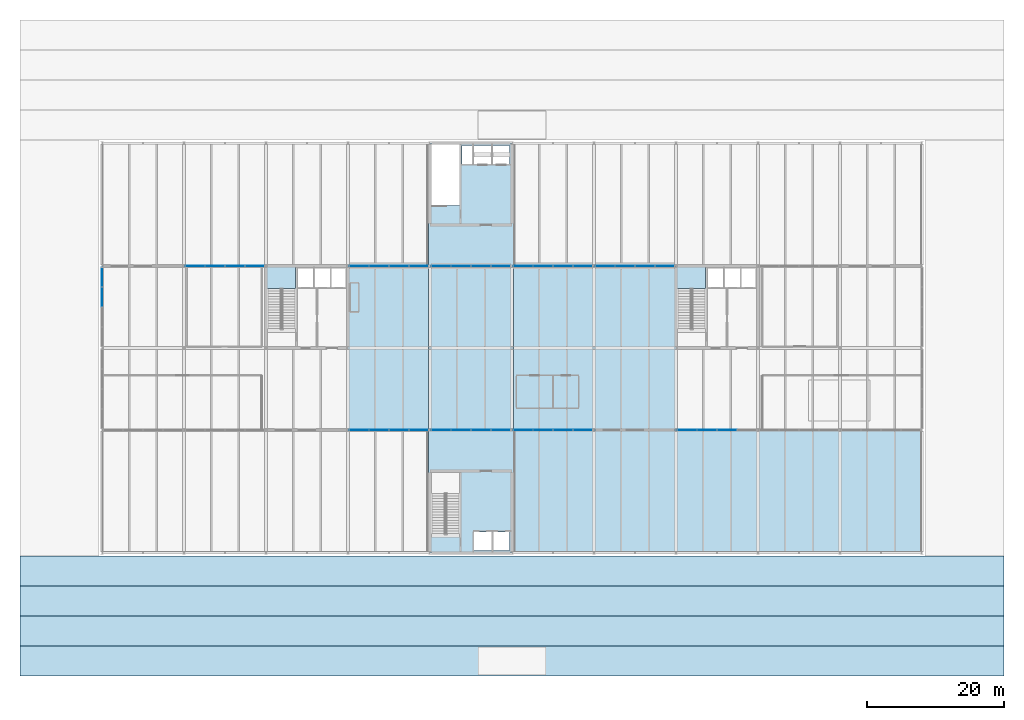
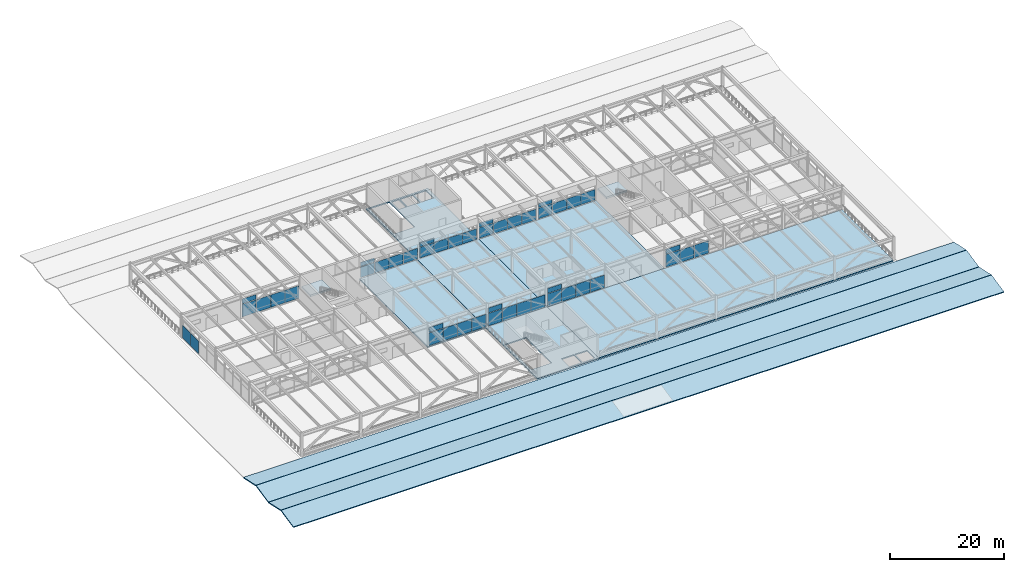
# One storey, part 33 of 42: 46 plates, 10 slabs, 12 elements without a shape of their own.
"""IFC4 building model written with IfcOpenShell, lengths in metres."""

from ifc_helpers import new_model, si_unit, direction, frame, origin, origin_2d, place, context, subcontext, project, spatial, polyline, rectangle, outline, extrude, material, layer, layer_set, type_object, element, aggregate, save


model = new_model("IFC4")

# Units and contexts
model_context = context("Model", 3, precision=1e-05, world=origin(), true_north=direction((0.0, 1.0)))
body_context = subcontext(model_context, "Body", "Model", "MODEL_VIEW")
ifc_project = project(units=[si_unit("LENGTHUNIT", "METRE"), si_unit("AREAUNIT", "SQUARE_METRE"), si_unit("VOLUMEUNIT", "CUBIC_METRE"), si_unit("PLANEANGLEUNIT", "RADIAN"), si_unit("MASSUNIT", "GRAM", prefix="KILO")], contexts=[model_context])

# Site, building, storey
site_placement = place(None, origin())
site = spatial("IfcSite", under=ifc_project, at=site_placement, CompositionType="ELEMENT")
building_placement = place(site_placement, origin())
building = spatial("IfcBuilding", under=site, at=building_placement, Name="Girod Span Mobility Hub", CompositionType="ELEMENT")
storey_placement = place(building_placement, frame((0.0, 0.0, 32.39990234375)))
storey = spatial("IfcBuildingStorey", under=building, at=storey_placement, Name="L08", CompositionType="ELEMENT", Elevation=32.39990234375)

# Curtain wall, plate
ifc_material_1 = material(Name="Thermally Broken Anodised Aluminium", Category="aluminium")
curtain_wall_type_1 = type_object("IfcCurtainWallType", Name="CW-1160X410", PredefinedType="USERDEFINED", material=ifc_material_1)
curtain_wall_1_placement = place(storey_placement, origin())
curtain_wall_1 = element("IfcCurtainWall", 1, at=curtain_wall_1_placement, inside=storey, type_object=curtain_wall_type_1, Name="Unitised Curtain Wall CW-L08-S06 L08", ObjectType="UNITISED CURTAIN WALL", PredefinedType="USERDEFINED")
ifc_material_2 = material(Name="Double Low-E Insulated Glazing", Category="glass")
ifc_layer_1 = layer(ifc_material_2, 0.05810546875)
ifc_layer_set_1 = layer_set([ifc_layer_1], Name="Double Low-E Insulated Glazing")
plate_type_1 = type_object("IfcPlateType", Name="PLT-SPN-2830X1068X58", PredefinedType="CURTAIN_PANEL", material=ifc_layer_set_1)
plate_1_placement = place(storey_placement, frame((61.650634765625, 45.0, 2.9521484375), z_axis=(0.0, 0.0, 1.0), x_axis=(1.0, 0.0, 0.0)))
plate_1 = element("IfcPlate", 2, at=plate_1_placement, type_object=plate_type_1, Name="Spandrel Glazing Panel CW-L08-S06-S1", PredefinedType="CURTAIN_PANEL", context=body_context, shape_type="SweptSolid", body=[
    extrude(rectangle(XDim=2.83544921875, YDim=0.05810546875, at=origin_2d()), origin(), (0.0, 0.0, 1.0), 1.028076171875),
])

curtain_wall_2_placement = place(storey_placement, origin())
curtain_wall_2 = element("IfcCurtainWall", 3, at=curtain_wall_2_placement, inside=storey, type_object=curtain_wall_type_1, Name="Unitised Curtain Wall CW-L08-S07 L08", ObjectType="UNITISED CURTAIN WALL", PredefinedType="USERDEFINED")
plate_2_placement = place(storey_placement, frame((73.650634765625, 45.0, 2.9521484375), z_axis=(0.0, 0.0, 1.0), x_axis=(1.0, 0.0, 0.0)))
plate_2 = element("IfcPlate", 4, at=plate_2_placement, type_object=plate_type_1, Name="Spandrel Glazing Panel CW-L08-S07-S1", PredefinedType="CURTAIN_PANEL", context=body_context, shape_type="SweptSolid", body=[
    extrude(rectangle(XDim=2.83544921875, YDim=0.05810546875, at=origin_2d()), origin(), (0.0, 0.0, 1.0), 1.028076171875),
])

curtain_wall_3_placement = place(storey_placement, origin())
curtain_wall_3 = element("IfcCurtainWall", 5, at=curtain_wall_3_placement, inside=storey, type_object=curtain_wall_type_1, Name="Unitised Curtain Wall CW-L08-S08 L08", ObjectType="UNITISED CURTAIN WALL", PredefinedType="USERDEFINED")
plate_3_placement = place(storey_placement, frame((85.650634765625, 45.0, 2.9521484375), z_axis=(0.0, 0.0, 1.0), x_axis=(1.0, 0.0, 0.0)))
plate_3 = element("IfcPlate", 6, at=plate_3_placement, type_object=plate_type_1, Name="Spandrel Glazing Panel CW-L08-S08-S1", PredefinedType="CURTAIN_PANEL", context=body_context, shape_type="SweptSolid", body=[
    extrude(rectangle(XDim=2.83544921875, YDim=0.05810546875, at=origin_2d()), origin(), (0.0, 0.0, 1.0), 1.028076171875),
])

curtain_wall_4_placement = place(storey_placement, origin())
curtain_wall_4 = element("IfcCurtainWall", 7, at=curtain_wall_4_placement, inside=storey, type_object=curtain_wall_type_1, Name="Unitised Curtain Wall CW-L08-S10 L08", ObjectType="UNITISED CURTAIN WALL", PredefinedType="USERDEFINED")
plate_4_placement = place(storey_placement, frame((109.650634765625, 45.0, 2.9521484375), z_axis=(0.0, 0.0, 1.0), x_axis=(1.0, 0.0, 0.0)))
plate_4 = element("IfcPlate", 8, at=plate_4_placement, type_object=plate_type_1, Name="Spandrel Glazing Panel CW-L08-S10-S1", PredefinedType="CURTAIN_PANEL", context=body_context, shape_type="SweptSolid", body=[
    extrude(rectangle(XDim=2.83544921875, YDim=0.05810546875, at=origin_2d()), origin(), (0.0, 0.0, 1.0), 1.028076171875),
])

curtain_wall_5_placement = place(storey_placement, origin())
curtain_wall_5 = element("IfcCurtainWall", 9, at=curtain_wall_5_placement, inside=storey, type_object=curtain_wall_type_1, Name="Unitised Curtain Wall CW-L08-N04 L08", ObjectType="UNITISED CURTAIN WALL", PredefinedType="USERDEFINED")
plate_5_placement = place(storey_placement, frame((37.647705078125, 69.0, 2.9521484375), z_axis=(0.0, 0.0, 1.0), x_axis=(1.0, 0.0, 0.0)))
plate_5 = element("IfcPlate", 10, at=plate_5_placement, type_object=plate_type_1, Name="Spandrel Glazing Panel CW-L08-N04-S1", PredefinedType="CURTAIN_PANEL", context=body_context, shape_type="SweptSolid", body=[
    extrude(rectangle(XDim=2.83642578125, YDim=0.05810546875, at=origin_2d()), origin(), (0.0, 0.0, 1.0), 1.028076171875),
])

ifc_material_3 = material(Name="Thermally Broken Anodised Aluminium", Category="aluminium")
curtain_wall_type_2 = type_object("IfcCurtainWallType", Name="CW-1160X354", PredefinedType="USERDEFINED", material=ifc_material_3)
curtain_wall_6_placement = place(storey_placement, origin())
curtain_wall_6 = element("IfcCurtainWall", 11, at=curtain_wall_6_placement, inside=storey, type_object=curtain_wall_type_2, Name="Unitised Curtain Wall CW-L08-N06 L08", ObjectType="UNITISED CURTAIN WALL", PredefinedType="USERDEFINED")
ifc_material_4 = material(Name="Double Low-E Insulated Glazing", Category="glass")
ifc_layer_2 = layer(ifc_material_4, 0.05810546875)
ifc_layer_set_2 = layer_set([ifc_layer_2], Name="Double Low-E Insulated Glazing")
plate_type_2 = type_object("IfcPlateType", Name="PLT-SPN-2830X911X58", PredefinedType="CURTAIN_PANEL", material=ifc_layer_set_2)
plate_6_placement = place(storey_placement, frame((61.650634765625, 69.0, 2.549072265625), z_axis=(0.0, 0.0, 1.0), x_axis=(1.0, 0.0, 0.0)))
plate_6 = element("IfcPlate", 12, at=plate_6_placement, type_object=plate_type_2, Name="Spandrel Glazing Panel CW-L08-N06-S1", PredefinedType="CURTAIN_PANEL", context=body_context, shape_type="SweptSolid", body=[
    extrude(rectangle(XDim=2.83544921875, YDim=0.05810546875, at=origin_2d()), origin(), (0.0, 0.0, 1.0), 0.87109375),
])

curtain_wall_7_placement = place(storey_placement, origin())
curtain_wall_7 = element("IfcCurtainWall", 13, at=curtain_wall_7_placement, inside=storey, type_object=curtain_wall_type_2, Name="Unitised Curtain Wall CW-L08-N07 L08", ObjectType="UNITISED CURTAIN WALL", PredefinedType="USERDEFINED")
plate_7_placement = place(storey_placement, frame((73.650634765625, 69.0, 2.549072265625), z_axis=(0.0, 0.0, 1.0), x_axis=(1.0, 0.0, 0.0)))
plate_7 = element("IfcPlate", 14, at=plate_7_placement, type_object=plate_type_2, Name="Spandrel Glazing Panel CW-L08-N07-S1", PredefinedType="CURTAIN_PANEL", context=body_context, shape_type="SweptSolid", body=[
    extrude(rectangle(XDim=2.83544921875, YDim=0.05810546875, at=origin_2d()), origin(), (0.0, 0.0, 1.0), 0.87109375),
])

curtain_wall_8_placement = place(storey_placement, origin())
curtain_wall_8 = element("IfcCurtainWall", 15, at=curtain_wall_8_placement, inside=storey, type_object=curtain_wall_type_2, Name="Unitised Curtain Wall CW-L08-N08 L08", ObjectType="UNITISED CURTAIN WALL", PredefinedType="USERDEFINED")
plate_8_placement = place(storey_placement, frame((85.650634765625, 69.0, 2.549072265625), z_axis=(0.0, 0.0, 1.0), x_axis=(1.0, 0.0, 0.0)))
plate_8 = element("IfcPlate", 16, at=plate_8_placement, type_object=plate_type_2, Name="Spandrel Glazing Panel CW-L08-N08-S1", PredefinedType="CURTAIN_PANEL", context=body_context, shape_type="SweptSolid", body=[
    extrude(rectangle(XDim=2.83544921875, YDim=0.05810546875, at=origin_2d()), origin(), (0.0, 0.0, 1.0), 0.87109375),
])

curtain_wall_9_placement = place(storey_placement, origin())
curtain_wall_9 = element("IfcCurtainWall", 17, at=curtain_wall_9_placement, inside=storey, type_object=curtain_wall_type_2, Name="Unitised Curtain Wall CW-L08-N09 L08", ObjectType="UNITISED CURTAIN WALL", PredefinedType="USERDEFINED")
plate_9_placement = place(storey_placement, frame((97.650634765625, 69.0, 2.549072265625), z_axis=(0.0, 0.0, 1.0), x_axis=(1.0, 0.0, 0.0)))
plate_9 = element("IfcPlate", 18, at=plate_9_placement, type_object=plate_type_2, Name="Spandrel Glazing Panel CW-L08-N09-S1", PredefinedType="CURTAIN_PANEL", context=body_context, shape_type="SweptSolid", body=[
    extrude(rectangle(XDim=2.83544921875, YDim=0.05810546875, at=origin_2d()), origin(), (0.0, 0.0, 1.0), 0.87109375),
])

# Plate
ifc_material_5 = material(Name="Double Low-E Insulated Glazing", Category="glass")
ifc_layer_3 = layer(ifc_material_5, 0.0458984375)
ifc_layer_set_3 = layer_set([ifc_layer_3], Name="Double Low-E Insulated Glazing")
plate_type_3 = type_object("IfcPlateType", Name="PLT-VIS-2830X2549X46", PredefinedType="CURTAIN_PANEL", material=ifc_layer_set_3)
plate_10_placement = place(storey_placement, frame((61.650634765625, 69.0, 0.14013671875), z_axis=(0.0, 0.0, 1.0), x_axis=(1.0, 0.0, 0.0)))
plate_10 = element("IfcPlate", 19, at=plate_10_placement, type_object=plate_type_3, Name="Vision Glazing Panel CW-L08-N06-V1", PredefinedType="CURTAIN_PANEL", context=body_context, shape_type="SweptSolid", body=[
    extrude(rectangle(XDim=2.83544921875, YDim=0.0458984375, at=origin_2d()), origin(), (0.0, 0.0, 1.0), 2.288818359375),
])

plate_11_placement = place(storey_placement, frame((64.55029296875, 69.0, 0.14013671875), z_axis=(0.0, 0.0, 1.0), x_axis=(1.0, 0.0, 0.0)))
plate_11 = element("IfcPlate", 20, at=plate_11_placement, type_object=plate_type_3, Name="Vision Glazing Panel CW-L08-N06-V2", PredefinedType="CURTAIN_PANEL", context=body_context, shape_type="SweptSolid", body=[
    extrude(rectangle(XDim=2.83544921875, YDim=0.0458984375, at=origin_2d()), origin(), (0.0, 0.0, 1.0), 2.288818359375),
])

plate_12_placement = place(storey_placement, frame((67.44970703125, 69.0, 0.14013671875), z_axis=(0.0, 0.0, 1.0), x_axis=(1.0, 0.0, 0.0)))
plate_12 = element("IfcPlate", 21, at=plate_12_placement, type_object=plate_type_3, Name="Vision Glazing Panel CW-L08-N06-V3", PredefinedType="CURTAIN_PANEL", context=body_context, shape_type="SweptSolid", body=[
    extrude(rectangle(XDim=2.83544921875, YDim=0.0458984375, at=origin_2d()), origin(), (0.0, 0.0, 1.0), 2.288818359375),
])

plate_13_placement = place(storey_placement, frame((70.349365234375, 69.0, 0.14013671875), z_axis=(0.0, 0.0, 1.0), x_axis=(1.0, 0.0, 0.0)))
plate_13 = element("IfcPlate", 22, at=plate_13_placement, type_object=plate_type_3, Name="Vision Glazing Panel CW-L08-N06-V4", PredefinedType="CURTAIN_PANEL", context=body_context, shape_type="SweptSolid", body=[
    extrude(rectangle(XDim=2.83544921875, YDim=0.0458984375, at=origin_2d()), origin(), (0.0, 0.0, 1.0), 2.288818359375),
])

aggregate(curtain_wall_6, [plate_10, plate_6, plate_11, plate_12, plate_13])

plate_14_placement = place(storey_placement, frame((73.650634765625, 69.0, 0.14013671875), z_axis=(0.0, 0.0, 1.0), x_axis=(1.0, 0.0, 0.0)))
plate_14 = element("IfcPlate", 23, at=plate_14_placement, type_object=plate_type_3, Name="Vision Glazing Panel CW-L08-N07-V1", PredefinedType="CURTAIN_PANEL", context=body_context, shape_type="SweptSolid", body=[
    extrude(rectangle(XDim=2.83544921875, YDim=0.0458984375, at=origin_2d()), origin(), (0.0, 0.0, 1.0), 2.288818359375),
])

plate_15_placement = place(storey_placement, frame((76.55029296875, 69.0, 0.14013671875), z_axis=(0.0, 0.0, 1.0), x_axis=(1.0, 0.0, 0.0)))
plate_15 = element("IfcPlate", 24, at=plate_15_placement, type_object=plate_type_3, Name="Vision Glazing Panel CW-L08-N07-V2", PredefinedType="CURTAIN_PANEL", context=body_context, shape_type="SweptSolid", body=[
    extrude(rectangle(XDim=2.83544921875, YDim=0.0458984375, at=origin_2d()), origin(), (0.0, 0.0, 1.0), 2.288818359375),
])

plate_16_placement = place(storey_placement, frame((79.44970703125, 69.0, 0.14013671875), z_axis=(0.0, 0.0, 1.0), x_axis=(1.0, 0.0, 0.0)))
plate_16 = element("IfcPlate", 25, at=plate_16_placement, type_object=plate_type_3, Name="Vision Glazing Panel CW-L08-N07-V3", PredefinedType="CURTAIN_PANEL", context=body_context, shape_type="SweptSolid", body=[
    extrude(rectangle(XDim=2.83544921875, YDim=0.0458984375, at=origin_2d()), origin(), (0.0, 0.0, 1.0), 2.288818359375),
])

plate_17_placement = place(storey_placement, frame((82.349365234375, 69.0, 0.14013671875), z_axis=(0.0, 0.0, 1.0), x_axis=(1.0, 0.0, 0.0)))
plate_17 = element("IfcPlate", 26, at=plate_17_placement, type_object=plate_type_3, Name="Vision Glazing Panel CW-L08-N07-V4", PredefinedType="CURTAIN_PANEL", context=body_context, shape_type="SweptSolid", body=[
    extrude(rectangle(XDim=2.83544921875, YDim=0.0458984375, at=origin_2d()), origin(), (0.0, 0.0, 1.0), 2.288818359375),
])

aggregate(curtain_wall_7, [plate_14, plate_7, plate_15, plate_16, plate_17])

plate_18_placement = place(storey_placement, frame((85.650634765625, 69.0, 0.14013671875), z_axis=(0.0, 0.0, 1.0), x_axis=(1.0, 0.0, 0.0)))
plate_18 = element("IfcPlate", 27, at=plate_18_placement, type_object=plate_type_3, Name="Vision Glazing Panel CW-L08-N08-V1", PredefinedType="CURTAIN_PANEL", context=body_context, shape_type="SweptSolid", body=[
    extrude(rectangle(XDim=2.83544921875, YDim=0.0458984375, at=origin_2d()), origin(), (0.0, 0.0, 1.0), 2.288818359375),
])

plate_19_placement = place(storey_placement, frame((88.55029296875, 69.0, 0.14013671875), z_axis=(0.0, 0.0, 1.0), x_axis=(1.0, 0.0, 0.0)))
plate_19 = element("IfcPlate", 28, at=plate_19_placement, type_object=plate_type_3, Name="Vision Glazing Panel CW-L08-N08-V2", PredefinedType="CURTAIN_PANEL", context=body_context, shape_type="SweptSolid", body=[
    extrude(rectangle(XDim=2.83544921875, YDim=0.0458984375, at=origin_2d()), origin(), (0.0, 0.0, 1.0), 2.288818359375),
])

plate_20_placement = place(storey_placement, frame((91.44970703125, 69.0, 0.14013671875), z_axis=(0.0, 0.0, 1.0), x_axis=(1.0, 0.0, 0.0)))
plate_20 = element("IfcPlate", 29, at=plate_20_placement, type_object=plate_type_3, Name="Vision Glazing Panel CW-L08-N08-V3", PredefinedType="CURTAIN_PANEL", context=body_context, shape_type="SweptSolid", body=[
    extrude(rectangle(XDim=2.83544921875, YDim=0.0458984375, at=origin_2d()), origin(), (0.0, 0.0, 1.0), 2.288818359375),
])

plate_21_placement = place(storey_placement, frame((94.349365234375, 69.0, 0.14013671875), z_axis=(0.0, 0.0, 1.0), x_axis=(1.0, 0.0, 0.0)))
plate_21 = element("IfcPlate", 30, at=plate_21_placement, type_object=plate_type_3, Name="Vision Glazing Panel CW-L08-N08-V4", PredefinedType="CURTAIN_PANEL", context=body_context, shape_type="SweptSolid", body=[
    extrude(rectangle(XDim=2.83544921875, YDim=0.0458984375, at=origin_2d()), origin(), (0.0, 0.0, 1.0), 2.288818359375),
])

aggregate(curtain_wall_8, [plate_18, plate_8, plate_19, plate_20, plate_21])

plate_22_placement = place(storey_placement, frame((97.650634765625, 69.0, 0.14013671875), z_axis=(0.0, 0.0, 1.0), x_axis=(1.0, 0.0, 0.0)))
plate_22 = element("IfcPlate", 31, at=plate_22_placement, type_object=plate_type_3, Name="Vision Glazing Panel CW-L08-N09-V1", PredefinedType="CURTAIN_PANEL", context=body_context, shape_type="SweptSolid", body=[
    extrude(rectangle(XDim=2.83544921875, YDim=0.0458984375, at=origin_2d()), origin(), (0.0, 0.0, 1.0), 2.288818359375),
])

plate_23_placement = place(storey_placement, frame((100.55029296875, 69.0, 0.14013671875), z_axis=(0.0, 0.0, 1.0), x_axis=(1.0, 0.0, 0.0)))
plate_23 = element("IfcPlate", 32, at=plate_23_placement, type_object=plate_type_3, Name="Vision Glazing Panel CW-L08-N09-V2", PredefinedType="CURTAIN_PANEL", context=body_context, shape_type="SweptSolid", body=[
    extrude(rectangle(XDim=2.83544921875, YDim=0.0458984375, at=origin_2d()), origin(), (0.0, 0.0, 1.0), 2.288818359375),
])

plate_24_placement = place(storey_placement, frame((103.44970703125, 69.0, 0.14013671875), z_axis=(0.0, 0.0, 1.0), x_axis=(1.0, 0.0, 0.0)))
plate_24 = element("IfcPlate", 33, at=plate_24_placement, type_object=plate_type_3, Name="Vision Glazing Panel CW-L08-N09-V3", PredefinedType="CURTAIN_PANEL", context=body_context, shape_type="SweptSolid", body=[
    extrude(rectangle(XDim=2.83544921875, YDim=0.0458984375, at=origin_2d()), origin(), (0.0, 0.0, 1.0), 2.288818359375),
])

plate_25_placement = place(storey_placement, frame((106.349365234375, 69.0, 0.14013671875), z_axis=(0.0, 0.0, 1.0), x_axis=(1.0, 0.0, 0.0)))
plate_25 = element("IfcPlate", 34, at=plate_25_placement, type_object=plate_type_3, Name="Vision Glazing Panel CW-L08-N09-V4", PredefinedType="CURTAIN_PANEL", context=body_context, shape_type="SweptSolid", body=[
    extrude(rectangle(XDim=2.83544921875, YDim=0.0458984375, at=origin_2d()), origin(), (0.0, 0.0, 1.0), 2.288818359375),
])

aggregate(curtain_wall_9, [plate_22, plate_9, plate_23, plate_24, plate_25])

ifc_material_6 = material(Name="Double Low-E Insulated Glazing", Category="glass")
ifc_layer_4 = layer(ifc_material_6, 0.0458984375)
ifc_layer_set_4 = layer_set([ifc_layer_4], Name="Double Low-E Insulated Glazing")
plate_type_4 = type_object("IfcPlateType", Name="PLT-VIS-2830X2952X46", PredefinedType="CURTAIN_PANEL", material=ifc_layer_set_4)
plate_26_placement = place(storey_placement, frame((61.650634765625, 45.0, 0.14013671875), z_axis=(0.0, 0.0, 1.0), x_axis=(1.0, 0.0, 0.0)))
plate_26 = element("IfcPlate", 35, at=plate_26_placement, type_object=plate_type_4, Name="Vision Glazing Panel CW-L08-S06-V1", PredefinedType="CURTAIN_PANEL", context=body_context, shape_type="SweptSolid", body=[
    extrude(rectangle(XDim=2.83544921875, YDim=0.0458984375, at=origin_2d()), origin(), (0.0, 0.0, 1.0), 2.69189453125),
])

plate_27_placement = place(storey_placement, frame((64.55029296875, 45.0, 0.14013671875), z_axis=(0.0, 0.0, 1.0), x_axis=(1.0, 0.0, 0.0)))
plate_27 = element("IfcPlate", 36, at=plate_27_placement, type_object=plate_type_4, Name="Vision Glazing Panel CW-L08-S06-V2", PredefinedType="CURTAIN_PANEL", context=body_context, shape_type="SweptSolid", body=[
    extrude(rectangle(XDim=2.83544921875, YDim=0.0458984375, at=origin_2d()), origin(), (0.0, 0.0, 1.0), 2.69189453125),
])

plate_28_placement = place(storey_placement, frame((67.44970703125, 45.0, 0.14013671875), z_axis=(0.0, 0.0, 1.0), x_axis=(1.0, 0.0, 0.0)))
plate_28 = element("IfcPlate", 37, at=plate_28_placement, type_object=plate_type_4, Name="Vision Glazing Panel CW-L08-S06-V3", PredefinedType="CURTAIN_PANEL", context=body_context, shape_type="SweptSolid", body=[
    extrude(rectangle(XDim=2.83544921875, YDim=0.0458984375, at=origin_2d()), origin(), (0.0, 0.0, 1.0), 2.69189453125),
])

plate_29_placement = place(storey_placement, frame((70.349365234375, 45.0, 0.14013671875), z_axis=(0.0, 0.0, 1.0), x_axis=(1.0, 0.0, 0.0)))
plate_29 = element("IfcPlate", 38, at=plate_29_placement, type_object=plate_type_4, Name="Vision Glazing Panel CW-L08-S06-V4", PredefinedType="CURTAIN_PANEL", context=body_context, shape_type="SweptSolid", body=[
    extrude(rectangle(XDim=2.83544921875, YDim=0.0458984375, at=origin_2d()), origin(), (0.0, 0.0, 1.0), 2.69189453125),
])

aggregate(curtain_wall_1, [plate_26, plate_1, plate_27, plate_28, plate_29])

plate_30_placement = place(storey_placement, frame((73.650634765625, 45.0, 0.14013671875), z_axis=(0.0, 0.0, 1.0), x_axis=(1.0, 0.0, 0.0)))
plate_30 = element("IfcPlate", 39, at=plate_30_placement, type_object=plate_type_4, Name="Vision Glazing Panel CW-L08-S07-V1", PredefinedType="CURTAIN_PANEL", context=body_context, shape_type="SweptSolid", body=[
    extrude(rectangle(XDim=2.83544921875, YDim=0.0458984375, at=origin_2d()), origin(), (0.0, 0.0, 1.0), 2.69189453125),
])

plate_31_placement = place(storey_placement, frame((76.55029296875, 45.0, 0.14013671875), z_axis=(0.0, 0.0, 1.0), x_axis=(1.0, 0.0, 0.0)))
plate_31 = element("IfcPlate", 40, at=plate_31_placement, type_object=plate_type_4, Name="Vision Glazing Panel CW-L08-S07-V2", PredefinedType="CURTAIN_PANEL", context=body_context, shape_type="SweptSolid", body=[
    extrude(rectangle(XDim=2.83544921875, YDim=0.0458984375, at=origin_2d()), origin(), (0.0, 0.0, 1.0), 2.69189453125),
])

plate_32_placement = place(storey_placement, frame((79.44970703125, 45.0, 0.14013671875), z_axis=(0.0, 0.0, 1.0), x_axis=(1.0, 0.0, 0.0)))
plate_32 = element("IfcPlate", 41, at=plate_32_placement, type_object=plate_type_4, Name="Vision Glazing Panel CW-L08-S07-V3", PredefinedType="CURTAIN_PANEL", context=body_context, shape_type="SweptSolid", body=[
    extrude(rectangle(XDim=2.83544921875, YDim=0.0458984375, at=origin_2d()), origin(), (0.0, 0.0, 1.0), 2.69189453125),
])

plate_33_placement = place(storey_placement, frame((82.349365234375, 45.0, 0.14013671875), z_axis=(0.0, 0.0, 1.0), x_axis=(1.0, 0.0, 0.0)))
plate_33 = element("IfcPlate", 42, at=plate_33_placement, type_object=plate_type_4, Name="Vision Glazing Panel CW-L08-S07-V4", PredefinedType="CURTAIN_PANEL", context=body_context, shape_type="SweptSolid", body=[
    extrude(rectangle(XDim=2.83544921875, YDim=0.0458984375, at=origin_2d()), origin(), (0.0, 0.0, 1.0), 2.69189453125),
])

aggregate(curtain_wall_2, [plate_30, plate_2, plate_31, plate_32, plate_33])

plate_34_placement = place(storey_placement, frame((85.650634765625, 45.0, 0.14013671875), z_axis=(0.0, 0.0, 1.0), x_axis=(1.0, 0.0, 0.0)))
plate_34 = element("IfcPlate", 43, at=plate_34_placement, type_object=plate_type_4, Name="Vision Glazing Panel CW-L08-S08-V1", PredefinedType="CURTAIN_PANEL", context=body_context, shape_type="SweptSolid", body=[
    extrude(rectangle(XDim=2.83544921875, YDim=0.0458984375, at=origin_2d()), origin(), (0.0, 0.0, 1.0), 2.69189453125),
])

plate_35_placement = place(storey_placement, frame((88.55029296875, 45.0, 0.14013671875), z_axis=(0.0, 0.0, 1.0), x_axis=(1.0, 0.0, 0.0)))
plate_35 = element("IfcPlate", 44, at=plate_35_placement, type_object=plate_type_4, Name="Vision Glazing Panel CW-L08-S08-V2", PredefinedType="CURTAIN_PANEL", context=body_context, shape_type="SweptSolid", body=[
    extrude(rectangle(XDim=2.83544921875, YDim=0.0458984375, at=origin_2d()), origin(), (0.0, 0.0, 1.0), 2.69189453125),
])

plate_36_placement = place(storey_placement, frame((91.44970703125, 45.0, 0.14013671875), z_axis=(0.0, 0.0, 1.0), x_axis=(1.0, 0.0, 0.0)))
plate_36 = element("IfcPlate", 45, at=plate_36_placement, type_object=plate_type_4, Name="Vision Glazing Panel CW-L08-S08-V3", PredefinedType="CURTAIN_PANEL", context=body_context, shape_type="SweptSolid", body=[
    extrude(rectangle(XDim=2.83544921875, YDim=0.0458984375, at=origin_2d()), origin(), (0.0, 0.0, 1.0), 2.69189453125),
])

plate_37_placement = place(storey_placement, frame((94.349365234375, 45.0, 0.14013671875), z_axis=(0.0, 0.0, 1.0), x_axis=(1.0, 0.0, 0.0)))
plate_37 = element("IfcPlate", 46, at=plate_37_placement, type_object=plate_type_4, Name="Vision Glazing Panel CW-L08-S08-V4", PredefinedType="CURTAIN_PANEL", context=body_context, shape_type="SweptSolid", body=[
    extrude(rectangle(XDim=2.83544921875, YDim=0.0458984375, at=origin_2d()), origin(), (0.0, 0.0, 1.0), 2.69189453125),
])

aggregate(curtain_wall_3, [plate_34, plate_3, plate_35, plate_36, plate_37])

plate_38_placement = place(storey_placement, frame((109.650634765625, 45.0, 0.14013671875), z_axis=(0.0, 0.0, 1.0), x_axis=(1.0, 0.0, 0.0)))
plate_38 = element("IfcPlate", 47, at=plate_38_placement, type_object=plate_type_4, Name="Vision Glazing Panel CW-L08-S10-V1", PredefinedType="CURTAIN_PANEL", context=body_context, shape_type="SweptSolid", body=[
    extrude(rectangle(XDim=2.83544921875, YDim=0.0458984375, at=origin_2d()), origin(), (0.0, 0.0, 1.0), 2.69189453125),
])

plate_39_placement = place(storey_placement, frame((112.55029296875, 45.0, 0.14013671875), z_axis=(0.0, 0.0, 1.0), x_axis=(1.0, 0.0, 0.0)))
plate_39 = element("IfcPlate", 48, at=plate_39_placement, type_object=plate_type_4, Name="Vision Glazing Panel CW-L08-S10-V2", PredefinedType="CURTAIN_PANEL", context=body_context, shape_type="SweptSolid", body=[
    extrude(rectangle(XDim=2.83544921875, YDim=0.0458984375, at=origin_2d()), origin(), (0.0, 0.0, 1.0), 2.69189453125),
])

plate_40_placement = place(storey_placement, frame((115.44970703125, 45.0, 0.14013671875), z_axis=(0.0, 0.0, 1.0), x_axis=(1.0, 0.0, 0.0)))
plate_40 = element("IfcPlate", 49, at=plate_40_placement, type_object=plate_type_4, Name="Vision Glazing Panel CW-L08-S10-V3", PredefinedType="CURTAIN_PANEL", context=body_context, shape_type="SweptSolid", body=[
    extrude(rectangle(XDim=2.83544921875, YDim=0.0458984375, at=origin_2d()), origin(), (0.0, 0.0, 1.0), 2.69189453125),
])

aggregate(curtain_wall_4, [plate_38, plate_4, plate_39, plate_40])

plate_41_placement = place(storey_placement, frame((37.647705078125, 69.0, 0.14013671875), z_axis=(0.0, 0.0, 1.0), x_axis=(1.0, 0.0, 0.0)))
plate_41 = element("IfcPlate", 50, at=plate_41_placement, type_object=plate_type_4, Name="Vision Glazing Panel CW-L08-N04-V1", PredefinedType="CURTAIN_PANEL", context=body_context, shape_type="SweptSolid", body=[
    extrude(rectangle(XDim=2.83642578125, YDim=0.0458984375, at=origin_2d()), origin(), (0.0, 0.0, 1.0), 2.69189453125),
])

plate_42_placement = place(storey_placement, frame((40.548095703125, 69.0, 0.14013671875), z_axis=(0.0, 0.0, 1.0), x_axis=(1.0, 0.0, 0.0)))
plate_42 = element("IfcPlate", 51, at=plate_42_placement, type_object=plate_type_4, Name="Vision Glazing Panel CW-L08-N04-V2", PredefinedType="CURTAIN_PANEL", context=body_context, shape_type="SweptSolid", body=[
    extrude(rectangle(XDim=2.836181640625, YDim=0.0458984375, at=origin_2d()), origin(), (0.0, 0.0, 1.0), 2.69189453125),
])

plate_43_placement = place(storey_placement, frame((43.448486328125, 69.0, 0.14013671875), z_axis=(0.0, 0.0, 1.0), x_axis=(1.0, 0.0, 0.0)))
plate_43 = element("IfcPlate", 52, at=plate_43_placement, type_object=plate_type_4, Name="Vision Glazing Panel CW-L08-N04-V3", PredefinedType="CURTAIN_PANEL", context=body_context, shape_type="SweptSolid", body=[
    extrude(rectangle(XDim=2.83642578125, YDim=0.0458984375, at=origin_2d()), origin(), (0.0, 0.0, 1.0), 2.69189453125),
])

plate_44_placement = place(storey_placement, frame((46.348876953125, 69.0, 0.14013671875), z_axis=(0.0, 0.0, 1.0), x_axis=(1.0, 0.0, 0.0)))
plate_44 = element("IfcPlate", 53, at=plate_44_placement, type_object=plate_type_4, Name="Vision Glazing Panel CW-L08-N04-V4", PredefinedType="CURTAIN_PANEL", context=body_context, shape_type="SweptSolid", body=[
    extrude(rectangle(XDim=2.83642578125, YDim=0.0458984375, at=origin_2d()), origin(), (0.0, 0.0, 1.0), 2.69189453125),
])

aggregate(curtain_wall_5, [plate_41, plate_5, plate_42, plate_43, plate_44])

# Curtain wall, plates
ifc_material_7 = material(Name="Thermally Broken Anodised Aluminium", Category="aluminium")
curtain_wall_type_3 = type_object("IfcCurtainWallType", Name="CW-1161X410", PredefinedType="USERDEFINED", material=ifc_material_7)
curtain_wall_10_placement = place(storey_placement, origin())
curtain_wall_10 = element("IfcCurtainWall", 54, at=curtain_wall_10_placement, inside=storey, type_object=curtain_wall_type_3, Name="Unitised Curtain Wall CW-L08-WE L08", ObjectType="UNITISED CURTAIN WALL", PredefinedType="USERDEFINED")
ifc_material_8 = material(Name="Double Low-E Insulated Glazing", Category="glass")
ifc_layer_5 = layer(ifc_material_8, 0.0458984375)
ifc_layer_set_5 = layer_set([ifc_layer_5], Name="Double Low-E Insulated Glazing")
plate_type_5 = type_object("IfcPlateType", Name="PLT-VIS-2833X2952X46", PredefinedType="CURTAIN_PANEL", material=ifc_layer_set_5)
plate_45_placement = place(storey_placement, frame((24.0, 64.451416015625, 0.14013671875), z_axis=(0.0, 0.0, 1.0), x_axis=(0.0, 1.0, 0.0)))
plate_45 = element("IfcPlate", 55, at=plate_45_placement, type_object=plate_type_5, Name="Vision Glazing Panel CW-L08-WE-V3", PredefinedType="CURTAIN_PANEL", context=body_context, shape_type="SweptSolid", body=[
    extrude(rectangle(XDim=2.838623046875, YDim=0.0458984375, at=origin_2d()), origin(), (0.0, 0.0, 1.0), 2.69189453125),
])
plate_46_placement = place(storey_placement, frame((24.0, 67.35400390625, 0.14013671875), z_axis=(0.0, 0.0, 1.0), x_axis=(0.0, 1.0, 0.0)))
plate_46 = element("IfcPlate", 56, at=plate_46_placement, type_object=plate_type_5, Name="Vision Glazing Panel CW-L08-WE-V4", PredefinedType="CURTAIN_PANEL", context=body_context, shape_type="SweptSolid", body=[
    extrude(rectangle(XDim=2.8388671875, YDim=0.0458984375, at=origin_2d()), origin(), (0.0, 0.0, 1.0), 2.69189453125),
])
aggregate(curtain_wall_10, [plate_45, plate_46])

# Slabs
ifc_material_9 = material(Name="Concrete C40/50", Category="concrete")
ifc_layer_6 = layer(ifc_material_9, 0.27490234375)
ifc_layer_set_6 = layer_set([ifc_layer_6], Name="Concrete C40/50")
slab_type_1 = type_object("IfcSlabType", Name="SL-EXT-275", PredefinedType="FLOOR", material=ifc_layer_set_6)
slab_1_placement = place(storey_placement, frame((0.0, 0.0, -0.27490234375)))
element("IfcSlab", 57, at=slab_1_placement, inside=storey, type_object=slab_type_1, Name="South East Rooftop Sports Court Deck", PredefinedType="FLOOR", context=body_context, shape_type="SweptSolid", body=[
    extrude(outline(polyline([(144.0, 27.0), (144.0, 45.0), (84.25, 45.0), (84.25, 27.0), (144.0, 27.0)])), origin(), (0.0, 0.0, 1.0), 0.27490234375),
])
ifc_material_10 = material(Name="Concrete C40/50", Category="concrete")
ifc_layer_7 = layer(ifc_material_10, 0.25)
ifc_layer_set_7 = layer_set([ifc_layer_7], Name="Concrete C40/50")
slab_type_2 = type_object("IfcSlabType", Name="SL-FLR-250", PredefinedType="FLOOR", material=ifc_layer_set_7)
slab_2_placement = place(storey_placement, frame((0.0, 0.0, -0.25)))
element("IfcSlab", 58, at=slab_2_placement, inside=storey, type_object=slab_type_2, Name="L08 Transfer Spine Floor Slab CW", PredefinedType="FLOOR", context=body_context, shape_type="SweptSolid", body=[
    extrude(outline(polyline([(60.0, 45.0), (60.0, 69.0), (71.75, 69.0), (71.75, 45.0), (60.0, 45.0)])), origin(), (0.0, 0.0, 1.0), 0.25),
])
slab_3_placement = place(storey_placement, frame((0.0, 0.0, -0.25)))
element("IfcSlab", 59, at=slab_3_placement, inside=storey, type_object=slab_type_2, Name="L08 Transfer Spine Floor Slab CC", PredefinedType="FLOOR", context=body_context, shape_type="SweptSolid", body=[
    extrude(outline(polyline([(71.75, 27.0), (71.75, 87.0), (84.25, 87.0), (84.25, 27.0), (71.75, 27.0)]), holes=[polyline([(72.219970703125, 38.820068359375), (72.219970703125, 29.8349609375), (76.340087890625, 29.8349609375), (76.340087890625, 38.820068359375), (72.219970703125, 38.820068359375)]), polyline([(76.340087890625, 86.820068359375), (72.219970703125, 86.820068359375), (72.219970703125, 77.8349609375), (76.340087890625, 77.8349609375), (76.340087890625, 86.820068359375)]), polyline([(78.14990234375, 86.64990234375), (76.64990234375, 86.64990234375), (76.64990234375, 83.949951171875), (78.14990234375, 83.949951171875), (78.14990234375, 86.64990234375)]), polyline([(80.949951171875, 86.64990234375), (78.39990234375, 86.64990234375), (78.39990234375, 83.949951171875), (80.949951171875, 83.949951171875), (80.949951171875, 86.64990234375)]), polyline([(81.0, 30.050048828125), (78.449951171875, 30.050048828125), (78.449951171875, 27.35009765625), (81.0, 27.35009765625), (81.0, 30.050048828125)]), polyline([(83.64990234375, 30.050048828125), (81.25, 30.050048828125), (81.25, 27.35009765625), (83.64990234375, 27.35009765625), (83.64990234375, 30.050048828125)]), polyline([(83.64990234375, 86.64990234375), (81.199951171875, 86.64990234375), (81.199951171875, 83.949951171875), (83.64990234375, 83.949951171875), (83.64990234375, 86.64990234375)])]), origin(), (0.0, 0.0, 1.0), 0.25),
])
slab_4_placement = place(storey_placement, frame((0.0, 0.0, -0.25)))
element("IfcSlab", 60, at=slab_4_placement, inside=storey, type_object=slab_type_2, Name="L08 Transfer Spine Floor Slab CE", PredefinedType="FLOOR", context=body_context, shape_type="SweptSolid", body=[
    extrude(outline(polyline([(84.25, 45.0), (84.25, 69.0), (108.0, 69.0), (108.0, 45.0), (84.25, 45.0)])), origin(), (0.0, 0.0, 1.0), 0.25),
])

# Stair, slab
ifc_material_11 = material(Name="Concrete C40/50", Category="concrete")
stair_type = type_object("IfcStairType", Name="STR-5200-W1860", PredefinedType="HALF_TURN_STAIR", material=ifc_material_11)
stair_1_placement = place(storey_placement, origin())
stair_1 = element("IfcStair", 61, at=stair_1_placement, inside=storey, type_object=stair_type, Name="Exit Stair ST-1 L08", PredefinedType="HALF_TURN_STAIR")
ifc_material_12 = material(Name="Concrete C40/50", Category="concrete")
ifc_layer_8 = layer(ifc_material_12, 0.3798828125)
ifc_layer_set_8 = layer_set([ifc_layer_8], Name="Concrete C40/50")
slab_type_3 = type_object("IfcSlabType", Name="SL-LND-380", PredefinedType="LANDING", material=ifc_layer_set_8)
slab_5_placement = place(storey_placement, frame((0.0, 0.0, 2.22021484375)))
slab_5 = element("IfcSlab", 62, at=slab_5_placement, type_object=slab_type_3, Name="Stair ST-1 Half-Landing L08", PredefinedType="LANDING", context=body_context, shape_type="SweptSolid", body=[
    extrude(outline(polyline([(52.3349609375, 65.72607421875), (52.3349609375, 68.8349609375), (48.1650390625, 68.8349609375), (48.1650390625, 65.72607421875), (52.3349609375, 65.72607421875)])), origin(), (0.0, 0.0, 1.0), 0.3798828125),
])
aggregate(stair_1, [slab_5])

stair_2_placement = place(storey_placement, origin())
stair_2 = element("IfcStair", 63, at=stair_2_placement, inside=storey, type_object=stair_type, Name="Exit Stair ST-2 L08", PredefinedType="HALF_TURN_STAIR")
slab_6_placement = place(storey_placement, frame((0.0, 0.0, 2.22021484375)))
slab_6 = element("IfcSlab", 64, at=slab_6_placement, type_object=slab_type_3, Name="Stair ST-2 Half-Landing L08", PredefinedType="LANDING", context=body_context, shape_type="SweptSolid", body=[
    extrude(outline(polyline([(112.3349609375, 65.72607421875), (112.3349609375, 68.8349609375), (108.1650390625, 68.8349609375), (108.1650390625, 65.72607421875), (112.3349609375, 65.72607421875)])), origin(), (0.0, 0.0, 1.0), 0.3798828125),
])
aggregate(stair_2, [slab_6])

# Slabs
ifc_material_13 = material(Name="Concrete C40/50", Category="concrete")
ifc_layer_9 = layer(ifc_material_13, 0.219970703125)
ifc_layer_set_9 = layer_set([ifc_layer_9], Name="Concrete C40/50")
slab_type_4 = type_object("IfcSlabType", Name="SL-ROOF-220", PredefinedType="ROOF", material=ifc_layer_set_9)
slab_7_placement = place(storey_placement, frame((12.0, 9.0, 0.0), z_axis=(0.0, -0.210360911825, 0.977623796138), x_axis=(1.0, 0.0, 0.0)))
element("IfcSlab", 65, at=slab_7_placement, inside=storey, type_object=slab_type_4, Name="Insulated Folded Setback Roof above L07 S Fold 1", PredefinedType="ROOF", context=body_context, shape_type="SweptSolid", body=[
    extrude(outline(polyline([(0.0, 0.0), (144.0, 0.0), (144.0, 4.469392810285138), (0.0, 4.469392810285138), (0.0, 0.0)])), origin(), (0.0, 0.0, -1.0), 0.219970703125),
])
for number, where, z_axis, x_axis, name in (
    (66, (12.0, 13.405517578125, 0.940185546875), (0.0, 0.211184116925, 0.97744629968), (1.0, 0.0, 0.0), "Insulated Folded Setback Roof above L07 S Fold 2"),
    (67, (12.0, 17.79296875, 0.0), (0.0, -0.211184116925, 0.97744629968), (1.0, 0.0, 0.0), "Insulated Folded Setback Roof above L07 S Fold 3"),
):
    element("IfcSlab", number, at=place(storey_placement, frame(where, z_axis=z_axis, x_axis=x_axis)), inside=storey, type_object=slab_type_4, Name=name, PredefinedType="ROOF", context=body_context, shape_type="SweptSolid", body=[
        extrude(outline(polyline([(0.0, 0.0), (144.0, 0.0), (144.0, 4.451970917914771), (0.0, 4.451970917914771), (0.0, 0.0)])), origin(), (0.0, 0.0, -1.0), 0.219970703125),
    ])
slab_8_placement = place(storey_placement, frame((12.0, 22.180419921875, 0.940185546875), z_axis=(0.0, 0.210349678568, 0.977626213195), x_axis=(1.0, 0.0, 0.0)))
element("IfcSlab", 68, at=slab_8_placement, inside=storey, type_object=slab_type_4, Name="Insulated Folded Setback Roof above L07 S Fold 4", PredefinedType="ROOF", context=body_context, shape_type="SweptSolid", body=[
    extrude(outline(polyline([(0.0, 0.0), (144.0, 0.0), (144.0, 4.469631488264801), (0.0, 4.469631488264801), (0.0, 0.0)])), origin(), (0.0, 0.0, -1.0), 0.219970703125),
])

save(model, "model.ifc")
